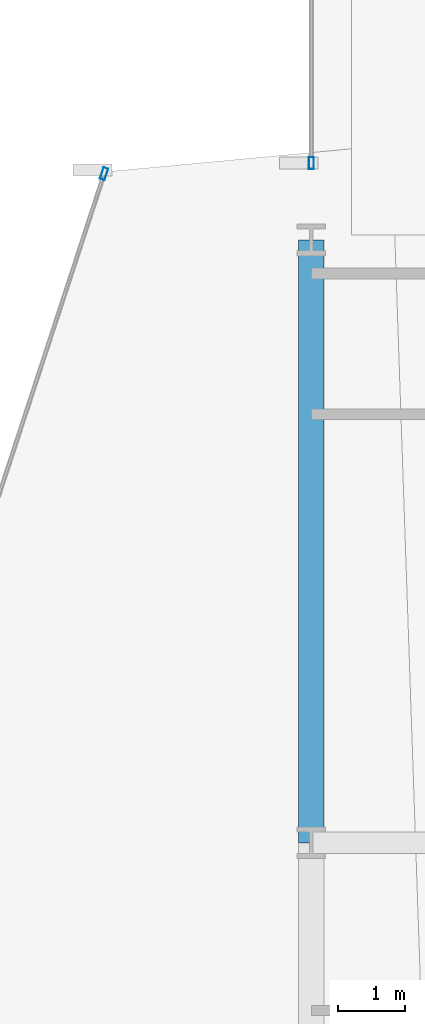
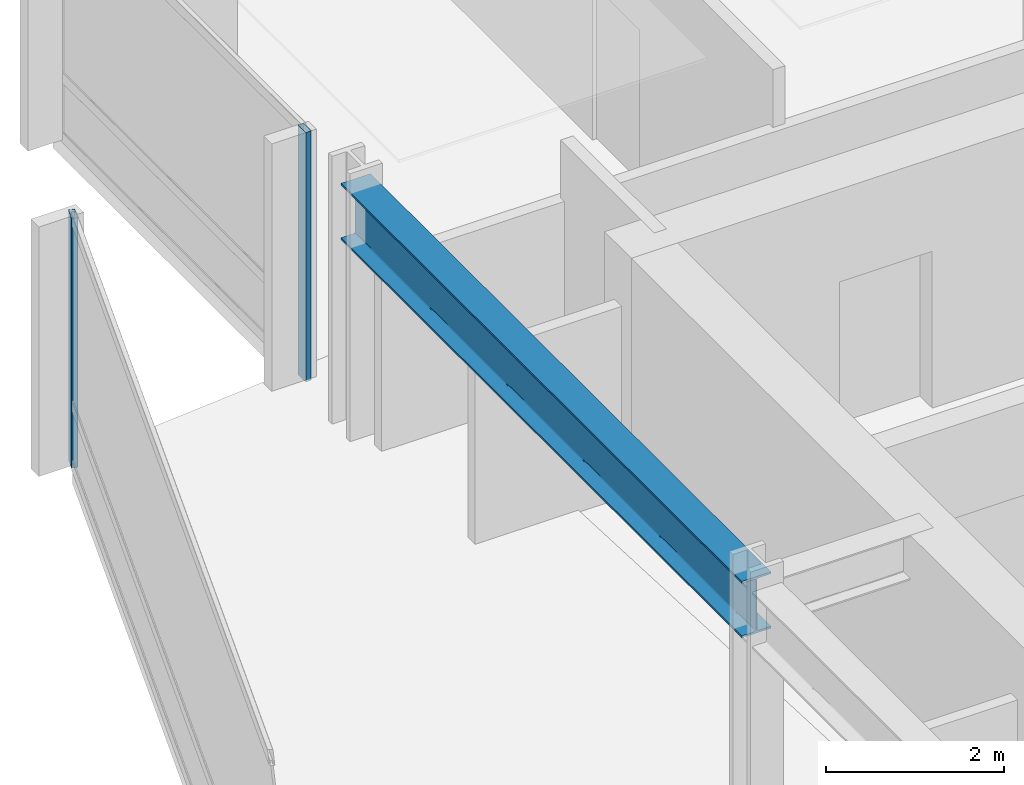
# One storey, part 19 of 34: 2 members, 1 beam, 2 elements without a shape of their own.
"""IFC4 building model written with IfcOpenShell, lengths in metres."""

from ifc_helpers import new_model, si_unit, direction, frame, origin, origin_2d, place, context, subcontext, project, spatial, hollow_rectangle, i_section, extrude, material, layer, layer_set, material_profile, profile_set, type_object, element, aggregate, save


model = new_model("IFC4")

# Units and contexts
model_context = context("Model", 3, precision=1e-05, world=origin(), true_north=direction((0.0, 1.0)))
body_context = subcontext(model_context, "Body", "Model", "MODEL_VIEW")
ifc_project = project(units=[si_unit("LENGTHUNIT", "METRE"), si_unit("AREAUNIT", "SQUARE_METRE"), si_unit("VOLUMEUNIT", "CUBIC_METRE"), si_unit("PLANEANGLEUNIT", "RADIAN"), si_unit("MASSUNIT", "GRAM", prefix="KILO")], contexts=[model_context])

# Site, building, storey
site_placement = place(None, origin())
site = spatial("IfcSite", under=ifc_project, at=site_placement, CompositionType="ELEMENT")
building_placement = place(site_placement, origin())
building = spatial("IfcBuilding", under=site, at=building_placement, Name="Solvaryn Broadcast Tower", CompositionType="ELEMENT")
storey_placement = place(building_placement, frame((0.0, 0.0, 69.300048828125)))
storey = spatial("IfcBuildingStorey", under=building, at=storey_placement, Name="L16", CompositionType="ELEMENT", Elevation=69.300048828125)

# Beam
ifc_material_1 = material(Name="Steel ASTM A992 Grade 50", Category="steel")
ifc_material_profile_1 = material_profile(ifc_material_1, i_section(OverallWidth=0.381103515625, OverallDepth=0.77294921875, WebThickness=0.0166015625, FlangeThickness=0.027099609375, FilletRadius=0.01806640625, at=origin_2d()))
ifc_profile_set_1 = profile_set([ifc_material_profile_1], Name="Steel ASTM A992 Grade 50")
beam_type = type_object("IfcBeamType", Name="BM-SP1-W30X173", PredefinedType="USERDEFINED", material=ifc_profile_set_1)
beam_placement = place(storey_placement, frame((9.0, 36.0, 3.033447265625), z_axis=(0.0, 1.0, 0.0), x_axis=(-1.0, 0.0, 0.0)))
element("IfcBeam", 1, at=beam_placement, inside=storey, type_object=beam_type, Name="L16 Spandrel Beam Y (36-45 @ X=9)", ObjectType="SPANDREL", PredefinedType="USERDEFINED", context=body_context, shape_type="SweptSolid", body=[
    extrude(i_section(OverallWidth=0.381103515625, OverallDepth=0.77294921875, WebThickness=0.0166015625, FlangeThickness=0.027099609375, FilletRadius=0.01806640625, at=origin_2d()), origin(), (0.0, 0.0, 1.0), 9.0),
])

# Curtain wall, member
ifc_material_2 = material(Name="Aluminium and Terracotta Unitised Curtain Wall", Category="masonry")
ifc_layer = layer(ifc_material_2, 0.199951171875)
ifc_layer_set = layer_set([ifc_layer], Name="CW-SYS2-LOWMID")
curtain_wall_type = type_object("IfcCurtainWallType", Name="CW-SYS2-LOWMID", PredefinedType="NOTDEFINED", material=ifc_layer_set)
curtain_wall_1_placement = place(storey_placement, origin())
curtain_wall_1 = element("IfcCurtainWall", 2, at=curtain_wall_1_placement, inside=storey, type_object=curtain_wall_type, Name="L16 Curtain Wall DR1", PredefinedType="NOTDEFINED")
ifc_material_3 = material(Name="Anodised Aluminium 6063-T6", Category="aluminium")
ifc_material_profile_2 = material_profile(ifc_material_3, hollow_rectangle(XDim=0.074951171875, YDim=0.179931640625, WallThickness=0.00390625, InnerFilletRadius=0.00390625, OuterFilletRadius=0.008056640625, at=origin_2d()))
ifc_profile_set_2 = profile_set([ifc_material_profile_2], Name="Anodised Aluminium 6063-T6")
member_type = type_object("IfcMemberType", Name="CW-MUL-180", PredefinedType="MULLION", material=ifc_profile_set_2)
member_1_placement = place(storey_placement, frame((5.90673828125, 45.987548828125, 0.0), z_axis=(0.0, 0.0, 1.0), x_axis=(0.950215318429, -0.311594044587, 0.0)))
member_1 = element("IfcMember", 3, at=member_1_placement, type_object=member_type, Name="CWS2 mullion 1", PredefinedType="MULLION", context=body_context, shape_type="SweptSolid", body=[
    extrude(hollow_rectangle(XDim=0.074951171875, YDim=0.179931640625, WallThickness=0.00390625, InnerFilletRadius=0.00390625, OuterFilletRadius=0.008056640625, at=origin_2d()), origin(), (0.0, 0.0, 1.0), 3.419921875),
])
aggregate(curtain_wall_1, [member_1])

curtain_wall_2_placement = place(storey_placement, origin())
curtain_wall_2 = element("IfcCurtainWall", 4, at=curtain_wall_2_placement, inside=storey, type_object=curtain_wall_type, Name="L16 Curtain Wall W2", PredefinedType="NOTDEFINED")
member_2_placement = place(storey_placement, frame((9.0, 46.14599609375, 0.0), z_axis=(0.0, 0.0, 1.0), x_axis=(-1.0, 0.0, 0.0)))
member_2 = element("IfcMember", 5, at=member_2_placement, type_object=member_type, Name="CWS2 mullion 1", PredefinedType="MULLION", context=body_context, shape_type="SweptSolid", body=[
    extrude(hollow_rectangle(XDim=0.074951171875, YDim=0.179931640625, WallThickness=0.00390625, InnerFilletRadius=0.00390625, OuterFilletRadius=0.008056640625, at=origin_2d()), origin(), (0.0, 0.0, 1.0), 3.419921875),
])
aggregate(curtain_wall_2, [member_2])

save(model, "model.ifc")
